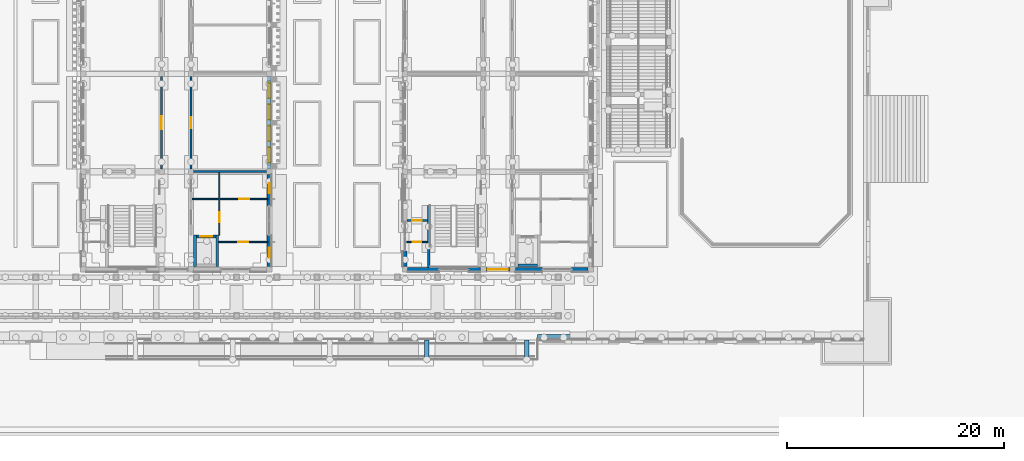
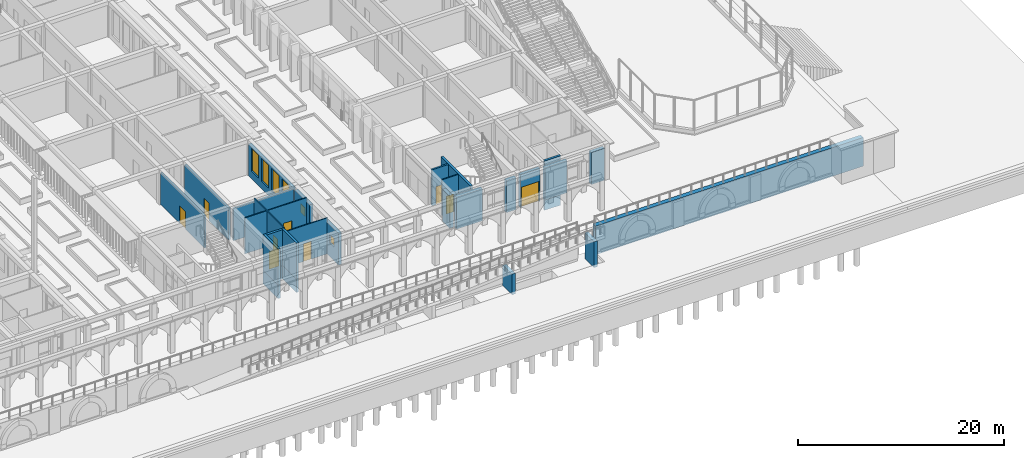
# One storey, part 68 of 161: 29 walls, 9 doors, 6 windows, 15 openings.
"""IFC4 building model written with IfcOpenShell, lengths in metres."""

import ifcopenshell
import ifcopenshell.guid

model = None  # the IFC model being written
_history = None  # IfcOwnerHistory: only IFC2X3 demands one
_inside = {}  # id of a spatial element -> (the spatial element, [elements in it])
_under = {}  # id of a project, library or spatial element -> (it, [spatial elements below it])
_declared = {}  # id of a project -> (the project, [libraries it declares])
_typed = {}  # id of a type object -> (the type object, [elements of that type])
_made_of = {}  # id of a material, layer set ... -> (it, [elements and type objects made of it])


def new_model(schema):
    """Start an empty IFC model of exactly this schema.

    Asked for "IFC4X3", IfcOpenShell would pick the latest addendum, in which some entities
    have other attributes; the version numbers below select the first issue.
    IFC2X3 requires an IfcOwnerHistory on every rooted entity: one is made here for all.
    """
    global model, _history
    if schema == "IFC4X3":
        model = ifcopenshell.file(schema_version=(4, 3, 0, 0))
    else:
        model = ifcopenshell.file(schema=schema)
    _inside.clear()
    _under.clear()
    _declared.clear()
    _typed.clear()
    _made_of.clear()
    _history = None
    if model.schema == "IFC2X3":
        org = make("IfcOrganization", Name="unknown")
        user = make(
            "IfcPersonAndOrganization",
            ThePerson=make("IfcPerson", FamilyName="unknown"),
            TheOrganization=org,
        )
        app = make(
            "IfcApplication",
            ApplicationDeveloper=org,
            Version="unknown",
            ApplicationFullName="unknown",
            ApplicationIdentifier="unknown",
        )
        _history = make(
            "IfcOwnerHistory",
            OwningUser=user,
            OwningApplication=app,
            ChangeAction="ADDED",
            CreationDate=0,
        )
    return model


def make(cls, **values):
    """One entity of the class cls with the attributes given. An attribute that is None is left unset."""
    return model.create_entity(
        cls, **{name: value for name, value in values.items() if value is not None}
    )


def rooted(cls, **values):
    """An entity with a GlobalId (a new one), such as an element, a storey or a relation."""
    return make(cls, GlobalId=ifcopenshell.guid.new(), OwnerHistory=_history, **values)


def si_unit(unit_type, name, prefix=None):
    """IfcSIUnit, for example si_unit("LENGTHUNIT", "METRE", prefix="MILLI")."""
    return make("IfcSIUnit", UnitType=unit_type, Prefix=prefix, Name=name)


def assignment(units):
    """IfcUnitAssignment: the units of a project."""
    return None if units is None else make("IfcUnitAssignment", Units=units)


def point(xyz):
    """IfcCartesianPoint."""
    return None if xyz is None else make("IfcCartesianPoint", Coordinates=xyz)


def direction(xyz):
    """IfcDirection."""
    return None if xyz is None else make("IfcDirection", DirectionRatios=xyz)


def frame(location, z_axis=None, x_axis=None):
    """IfcAxis2Placement3D, a coordinate frame: its origin and axes. An axis left out is left unset."""
    return make(
        "IfcAxis2Placement3D",
        Location=point(location),
        Axis=direction(z_axis),
        RefDirection=direction(x_axis),
    )


def frame_2d(location, x_axis=None):
    """IfcAxis2Placement2D, a coordinate frame in the plane: its origin and x axis."""
    return make(
        "IfcAxis2Placement2D", Location=point(location), RefDirection=direction(x_axis)
    )


def origin():
    """The frame at (0, 0, 0) with its axes left unset."""
    return frame((0.0, 0.0, 0.0))


def place(relative_to, where):
    """IfcLocalPlacement: puts the frame where relative to a parent placement (None: the world)."""
    return make(
        "IfcLocalPlacement", PlacementRelTo=relative_to, RelativePlacement=where
    )


def context(
    kind, dimensions, precision=None, world=None, true_north=None, identifier=None
):
    """IfcGeometricRepresentationContext, for example the 3D "Model" context."""
    return make(
        "IfcGeometricRepresentationContext",
        ContextIdentifier=identifier,
        ContextType=kind,
        CoordinateSpaceDimension=dimensions,
        Precision=precision,
        WorldCoordinateSystem=world,
        TrueNorth=true_north,
    )


def subcontext(parent, identifier, kind, view, scale=None):
    """IfcGeometricRepresentationSubContext, for example "Body" below "Model"."""
    return make(
        "IfcGeometricRepresentationSubContext",
        ContextIdentifier=identifier,
        ContextType=kind,
        ParentContext=parent,
        TargetScale=scale,
        TargetView=view,
    )


def project(units=None, contexts=None):
    """IfcProject with its units and contexts."""
    return rooted(
        "IfcProject",
        Name="project",
        RepresentationContexts=contexts,
        UnitsInContext=assignment(units),
    )


def spatial(cls, under=None, at=None, **own):
    """A site, building, storey or space (cls), placed at a placement, below another one or the project."""
    s = rooted(cls, ObjectPlacement=at, **own)
    if under is not None:
        _under.setdefault(under.id(), (under, []))[1].append(s)
    return s


def profile(cls, at=None, kind="AREA", **sizes):
    """A parametric profile (cls). Its sizes go by their IFC names, for example OverallWidth=200.0."""
    return make(cls, ProfileType=kind, Position=at, **sizes)


def rectangle(**sizes):
    """IfcRectangleProfileDef."""
    return profile("IfcRectangleProfileDef", **sizes)


def extrude(swept, where, along, depth):
    """IfcExtrudedAreaSolid: the profile swept, set in the frame where, extruded along a direction by depth."""
    return make(
        "IfcExtrudedAreaSolid",
        SweptArea=swept,
        Position=where,
        ExtrudedDirection=direction(along),
        Depth=depth,
    )


def shape(context_of_items, identifier, shape_type, items):
    """IfcShapeRepresentation: the items that make up one representation, for example the "Body"."""
    return make(
        "IfcShapeRepresentation",
        ContextOfItems=context_of_items,
        RepresentationIdentifier=identifier,
        RepresentationType=shape_type,
        Items=items,
    )


def material(Name=None, Category=None):
    """IfcMaterial."""
    return make("IfcMaterial", Name=Name, Category=Category)


def layer(
    of_material, thickness, ventilated=None, Name=None, Category=None, Priority=None
):
    """IfcMaterialLayer: one layer of a wall or slab, of a material (None: an air gap)."""
    return make(
        "IfcMaterialLayer",
        Material=of_material,
        LayerThickness=thickness,
        IsVentilated=ventilated,
        Name=Name,
        Category=Category,
        Priority=Priority,
    )


def layer_set(layers, Name=None):
    """IfcMaterialLayerSet."""
    return make("IfcMaterialLayerSet", MaterialLayers=layers, LayerSetName=Name)


def made_of(thing, what):
    """Note that an element or type object is made of a material, layer set ...; save() writes the relation."""
    if what is not None:
        _made_of.setdefault(what.id(), (what, []))[1].append(thing)
    return thing


def type_object(cls, material=None, **own):
    """A type object (cls), such as IfcWallType, which elements share."""
    return made_of(rooted(cls, **own), material)


def element(
    cls,
    number,
    at=None,
    inside=None,
    cuts=None,
    type_object=None,
    material=None,
    context=None,
    identifier="Body",
    shape_type=None,
    held_by="IfcProductDefinitionShape",
    body=None,
    shapes=None,
    **own,
):
    """One element of the class cls, such as IfcWall. Its Tag is "e" and its number.

    at: its placement. inside: the storey or other place that contains it. cuts: it is an
    opening in that element (IfcRelVoidsElement). A single representation is given by context,
    identifier, shape_type and body (its items); several are given by shapes. held_by: the class
    of the entity that holds the representations. save() writes the other relations.
    """
    e = rooted(cls, Tag="e%d" % number, ObjectPlacement=at, **own)
    if body is not None:
        shapes = [shape(context, identifier, shape_type, body)]
    if shapes is not None:
        e.Representation = make(held_by, Representations=shapes)
    if inside is not None:
        _inside.setdefault(inside.id(), (inside, []))[1].append(e)
    if cuts is not None:
        rooted(
            "IfcRelVoidsElement", RelatingBuildingElement=cuts, RelatedOpeningElement=e
        )
    if type_object is not None:
        _typed.setdefault(type_object.id(), (type_object, []))[1].append(e)
    return made_of(e, material)


def fill(opening, filler):
    """IfcRelFillsElement: the door or window that sits in an opening."""
    return rooted(
        "IfcRelFillsElement",
        RelatingOpeningElement=opening,
        RelatedBuildingElement=filler,
    )


def aggregate(whole, parts):
    """IfcRelAggregates: a whole, such as a stair, and the parts it consists of."""
    return rooted("IfcRelAggregates", RelatingObject=whole, RelatedObjects=parts)


def save(model, path):
    """Write the relations noted so far, then the file.

    IfcRelAggregates (storeys below a building ...), IfcRelContainedInSpatialStructure (elements
    in a storey), IfcRelDefinesByType, IfcRelAssociatesMaterial and IfcRelDeclares: one each for
    every whole, place, type object, material and project.
    """
    for whole, parts in _under.values():
        aggregate(whole, parts)
    for where, things in _inside.values():
        rooted(
            "IfcRelContainedInSpatialStructure",
            RelatedElements=things,
            RelatingStructure=where,
        )
    for kind, things in _typed.values():
        rooted("IfcRelDefinesByType", RelatedObjects=things, RelatingType=kind)
    for what, things in _made_of.values():
        rooted("IfcRelAssociatesMaterial", RelatedObjects=things, RelatingMaterial=what)
    for by, libraries in _declared.values():
        rooted("IfcRelDeclares", RelatingContext=by, RelatedDefinitions=libraries)
    model.write(path)


model = new_model("IFC4")

# Units and contexts
model_context = context("Model", 3, precision=1e-05, world=origin(), true_north=direction((0.0, 1.0)))
body_context = subcontext(model_context, "Body", "Model", "MODEL_VIEW")
ifc_project = project(units=[si_unit("LENGTHUNIT", "METRE"), si_unit("AREAUNIT", "SQUARE_METRE"), si_unit("VOLUMEUNIT", "CUBIC_METRE"), si_unit("PLANEANGLEUNIT", "RADIAN"), si_unit("MASSUNIT", "GRAM", prefix="KILO")], contexts=[model_context])

# Site, building, storey
site_placement = place(None, origin())
site = spatial("IfcSite", under=ifc_project, at=site_placement, CompositionType="ELEMENT")
building_placement = place(site_placement, origin())
building = spatial("IfcBuilding", under=site, at=building_placement, Name="Elbe Cascade School", CompositionType="ELEMENT")
storey_placement = place(building_placement, origin())
storey = spatial("IfcBuildingStorey", under=building, at=storey_placement, Name="L00", CompositionType="ELEMENT", Elevation=0.0)

# Wall, opening, door
ifc_material_1 = material(Name="Masonry - lime-sand block, plastered", Category="masonry")
ifc_layer_1 = layer(ifc_material_1, 0.199951171875)
ifc_layer_set_1 = layer_set([ifc_layer_1], Name="Masonry - lime-sand block, plastered")
wall_type_1 = type_object("IfcWallType", Name="Bar corridor wall lime-sand block 200 EI 30", PredefinedType="PARTITIONING", material=ifc_layer_set_1)
wall_1_placement = place(storey_placement, frame((135.39990234375, 15.25, 0.0), z_axis=(0.0, 0.0, 1.0), x_axis=(0.0, 1.0, 0.0)))
wall_1 = element("IfcWall", 1, at=wall_1_placement, inside=storey, type_object=wall_type_1, Name="Bar corridor wall lime-sand block 200 EI 30", PredefinedType="PARTITIONING", context=body_context, shape_type="SweptSolid", body=[
    extrude(rectangle(XDim=8.5, YDim=0.199951171875, at=frame_2d((4.25, 0.0))), origin(), (0.0, 0.0, 1.0), 3.800048828125),
])
opening_1_placement = place(wall_1_placement, frame((3.64990234375, 0.0, 0.0)))
opening_1 = element("IfcOpeningElement", 2, at=opening_1_placement, cuts=wall_1, Name="Opening D0.077", PredefinedType="OPENING", context=body_context, shape_type="SweptSolid", body=[
    extrude(rectangle(XDim=1.199951171875, YDim=2.10009765625, at=frame_2d((0.60009765625, 1.050048828125))), frame((0.0, 0.10986328125, 0.0), z_axis=(0.0, -1.0, 0.0), x_axis=(1.0, 0.0, 0.0)), (0.0, 0.0, 1.0), 0.219970703125),
])
ifc_material_2 = material(Name="Timber door leaf, fire-resisting, steel frame", Category="steel")
door_type_1 = type_object("IfcDoorType", Name="Bar door FD30 1200x2100", OperationType="NOTDEFINED", PredefinedType="DOOR", material=ifc_material_2)
door_1_placement = place(opening_1_placement, origin())
door_1 = element("IfcDoor", 3, at=door_1_placement, inside=storey, type_object=door_type_1, Name="Door C0.19a", OperationType="SINGLE_SWING_RIGHT", OverallHeight=2.10009765625, OverallWidth=1.199951171875, PredefinedType="DOOR", context=body_context, shape_type="SweptSolid", body=[
    extrude(rectangle(XDim=1.199951171875, YDim=2.10009765625, at=frame_2d((0.60009765625, 1.050048828125))), frame((0.0, 0.02490234375, 0.0), z_axis=(0.0, -1.0, 0.0), x_axis=(1.0, 0.0, 0.0)), (0.0, 0.0, 1.0), 0.050048828125),
])
fill(opening_1, door_1)

wall_2_placement = place(storey_placement, frame((138.10009765625, 23.75, 0.0), z_axis=(0.0, 0.0, 1.0), x_axis=(0.0, -1.0, 0.0)))
wall_2 = element("IfcWall", 4, at=wall_2_placement, inside=storey, type_object=wall_type_1, Name="Bar corridor wall lime-sand block 200 EI 30", PredefinedType="PARTITIONING", context=body_context, shape_type="SweptSolid", body=[
    extrude(rectangle(XDim=8.5, YDim=0.199951171875, at=frame_2d((4.25, 0.0))), origin(), (0.0, 0.0, 1.0), 3.800048828125),
])
opening_2_placement = place(wall_2_placement, frame((3.75, 0.0, 0.0)))
opening_2 = element("IfcOpeningElement", 5, at=opening_2_placement, cuts=wall_2, Name="Opening D0.078", PredefinedType="OPENING", context=body_context, shape_type="SweptSolid", body=[
    extrude(rectangle(XDim=1.0, YDim=2.10009765625, at=frame_2d((0.5, 1.050048828125))), frame((0.0, 0.10986328125, 0.0), z_axis=(0.0, -1.0, 0.0), x_axis=(1.0, 0.0, 0.0)), (0.0, 0.0, 1.0), 0.219970703125),
])
ifc_material_3 = material(Name="Timber door leaf, fire-resisting, steel frame", Category="steel")
door_type_2 = type_object("IfcDoorType", Name="Bar door FD30 1000x2100", OperationType="NOTDEFINED", PredefinedType="DOOR", material=ifc_material_3)
door_2_placement = place(opening_2_placement, origin())
door_2 = element("IfcDoor", 6, at=door_2_placement, inside=storey, type_object=door_type_2, Name="Door C0.23", OperationType="SINGLE_SWING_RIGHT", OverallHeight=2.10009765625, OverallWidth=1.0, PredefinedType="DOOR", context=body_context, shape_type="SweptSolid", body=[
    extrude(rectangle(XDim=1.0, YDim=2.10009765625, at=frame_2d((0.5, 1.050048828125))), frame((0.0, 0.02490234375, 0.0), z_axis=(0.0, -1.0, 0.0), x_axis=(1.0, 0.0, 0.0)), (0.0, 0.0, 1.0), 0.050048828125),
])
fill(opening_2, door_2)

ifc_material_4 = material(Name="Masonry - lime-sand block, plastered", Category="masonry")
ifc_layer_2 = layer(ifc_material_4, 0.114990234375)
ifc_layer_set_2 = layer_set([ifc_layer_2], Name="Masonry - lime-sand block, plastered")
wall_type_2 = type_object("IfcWallType", Name="Bar light partition wall lime-sand block 115", PredefinedType="PARTITIONING", material=ifc_layer_set_2)
wall_3_placement = place(storey_placement, frame((140.70751953125, 14.89990234375, 0.0), z_axis=(0.0, 0.0, 1.0), x_axis=(0.0, -1.0, 0.0)))
wall_3 = element("IfcWall", 7, at=wall_3_placement, inside=storey, type_object=wall_type_2, Name="Bar light partition wall lime-sand block 115", PredefinedType="PARTITIONING", context=body_context, shape_type="SweptSolid", body=[
    extrude(rectangle(XDim=5.75, YDim=0.114990234375, at=frame_2d((2.875, 0.0))), origin(), (0.0, 0.0, 1.0), 4.25),
])
opening_3_placement = place(wall_3_placement, frame((3.64990234375, 0.0, 0.0)))
opening_3 = element("IfcOpeningElement", 8, at=opening_3_placement, cuts=wall_3, Name="Opening D0.072", PredefinedType="OPENING", context=body_context, shape_type="SweptSolid", body=[
    extrude(rectangle(XDim=0.89990234375, YDim=2.10009765625, at=frame_2d((0.449951171875, 1.050048828125))), frame((0.0, 0.0673828125, 0.0), z_axis=(0.0, -1.0, 0.0), x_axis=(1.0, 0.0, 0.0)), (0.0, 0.0, 1.0), 0.135009765625),
])
ifc_material_5 = material(Name="Timber door leaf, steel frame", Category="steel")
door_type_3 = type_object("IfcDoorType", Name="Bar door 900x2100", OperationType="NOTDEFINED", PredefinedType="DOOR", material=ifc_material_5)
door_3_placement = place(opening_3_placement, origin())
door_3 = element("IfcDoor", 9, at=door_3_placement, inside=storey, type_object=door_type_3, Name="Door C0.07", OperationType="SINGLE_SWING_LEFT", OverallHeight=2.10009765625, OverallWidth=0.89990234375, PredefinedType="DOOR", context=body_context, shape_type="SweptSolid", body=[
    extrude(rectangle(XDim=0.89990234375, YDim=2.10009765625, at=frame_2d((0.449951171875, 1.050048828125))), frame((0.0, 0.02490234375, 0.0), z_axis=(0.0, -1.0, 0.0), x_axis=(1.0, 0.0, 0.0)), (0.0, 0.0, 1.0), 0.050048828125),
])
fill(opening_3, door_3)

wall_4_placement = place(storey_placement, frame((145.14990234375, 8.52001953125, 0.0), z_axis=(0.0, 0.0, 1.0), x_axis=(-1.0, 0.0, 0.0)))
wall_4 = element("IfcWall", 10, at=wall_4_placement, inside=storey, type_object=wall_type_2, Name="Bar light partition wall lime-sand block 115", PredefinedType="PARTITIONING", context=body_context, shape_type="SweptSolid", body=[
    extrude(rectangle(XDim=4.5, YDim=0.114990234375, at=frame_2d((2.25, 0.0))), origin(), (0.0, 0.0, 1.0), 4.25),
])
opening_4_placement = place(wall_4_placement, frame((1.800048828125, 0.0, 0.0)))
opening_4 = element("IfcOpeningElement", 11, at=opening_4_placement, cuts=wall_4, Name="Opening D0.068", PredefinedType="OPENING", context=body_context, shape_type="SweptSolid", body=[
    extrude(rectangle(XDim=0.89990234375, YDim=2.10009765625, at=frame_2d((0.449951171875, 1.050048828125))), frame((0.0, 0.0673828125, 0.0), z_axis=(0.0, -1.0, 0.0), x_axis=(1.0, 0.0, 0.0)), (0.0, 0.0, 1.0), 0.135009765625),
])
door_4_placement = place(opening_4_placement, origin())
door_4 = element("IfcDoor", 12, at=door_4_placement, inside=storey, type_object=door_type_3, Name="Door C0.08", OperationType="SINGLE_SWING_LEFT", OverallHeight=2.10009765625, OverallWidth=0.89990234375, PredefinedType="DOOR", context=body_context, shape_type="SweptSolid", body=[
    extrude(rectangle(XDim=0.89990234375, YDim=2.10009765625, at=frame_2d((0.449951171875, 1.050048828125))), frame((0.0, 0.02490234375, 0.0), z_axis=(0.0, -1.0, 0.0), x_axis=(1.0, 0.0, 0.0)), (0.0, 0.0, 1.0), 0.050048828125),
])
fill(opening_4, door_4)

wall_5_placement = place(storey_placement, frame((138.199951171875, 12.47998046875, 0.0), z_axis=(0.0, 0.0, 1.0), x_axis=(1.0, 0.0, 0.0)))
wall_5 = element("IfcWall", 13, at=wall_5_placement, inside=storey, type_object=wall_type_2, Name="Bar light partition wall lime-sand block 115", PredefinedType="PARTITIONING", context=body_context, shape_type="SweptSolid", body=[
    extrude(rectangle(XDim=6.949951171875, YDim=0.114990234375, at=frame_2d((3.47509765625, 0.0))), origin(), (0.0, 0.0, 1.0), 4.25),
])
opening_5_placement = place(wall_5_placement, frame((4.35009765625, 0.0, 0.0)))
opening_5 = element("IfcOpeningElement", 14, at=opening_5_placement, cuts=wall_5, Name="Opening D0.073", PredefinedType="OPENING", context=body_context, shape_type="SweptSolid", body=[
    extrude(rectangle(XDim=0.89990234375, YDim=2.10009765625, at=frame_2d((0.449951171875, 1.050048828125))), frame((0.0, 0.0673828125, 0.0), z_axis=(0.0, -1.0, 0.0), x_axis=(1.0, 0.0, 0.0)), (0.0, 0.0, 1.0), 0.135009765625),
])
door_5_placement = place(opening_5_placement, origin())
door_5 = element("IfcDoor", 15, at=door_5_placement, inside=storey, type_object=door_type_3, Name="Door C0.09", OperationType="SINGLE_SWING_RIGHT", OverallHeight=2.10009765625, OverallWidth=0.89990234375, PredefinedType="DOOR", context=body_context, shape_type="SweptSolid", body=[
    extrude(rectangle(XDim=0.89990234375, YDim=2.10009765625, at=frame_2d((0.449951171875, 1.050048828125))), frame((0.0, 0.02490234375, 0.0), z_axis=(0.0, -1.0, 0.0), x_axis=(1.0, 0.0, 0.0)), (0.0, 0.0, 1.0), 0.050048828125),
])
fill(opening_5, door_5)

wall_6_placement = place(storey_placement, frame((159.85009765625, 8.52001953125, 0.0), z_axis=(0.0, 0.0, 1.0), x_axis=(-1.0, 0.0, 0.0)))
wall_6 = element("IfcWall", 16, at=wall_6_placement, inside=storey, type_object=wall_type_2, Name="Bar light partition wall lime-sand block 115", PredefinedType="PARTITIONING", context=body_context, shape_type="SweptSolid", body=[
    extrude(rectangle(XDim=1.8701171875, YDim=0.114990234375, at=frame_2d((0.93505859375, 0.0))), origin(), (0.0, 0.0, 1.0), 4.25),
])
opening_6_placement = place(wall_6_placement, frame((0.550048828125, 0.0, 0.0)))
opening_6 = element("IfcOpeningElement", 17, at=opening_6_placement, cuts=wall_6, Name="Opening D0.098", PredefinedType="OPENING", context=body_context, shape_type="SweptSolid", body=[
    extrude(rectangle(XDim=0.800048828125, YDim=2.10009765625, at=frame_2d((0.39990234375, 1.050048828125))), frame((0.0, 0.0673828125, 0.0), z_axis=(0.0, -1.0, 0.0), x_axis=(1.0, 0.0, 0.0)), (0.0, 0.0, 1.0), 0.135009765625),
])
ifc_material_6 = material(Name="Timber door leaf, steel frame", Category="steel")
door_type_4 = type_object("IfcDoorType", Name="Bar door 800x2100", OperationType="NOTDEFINED", PredefinedType="DOOR", material=ifc_material_6)
door_6_placement = place(opening_6_placement, origin())
door_6 = element("IfcDoor", 18, at=door_6_placement, inside=storey, type_object=door_type_4, Name="Door D0.05", OperationType="SINGLE_SWING_LEFT", OverallHeight=2.10009765625, OverallWidth=0.800048828125, PredefinedType="DOOR", context=body_context, shape_type="SweptSolid", body=[
    extrude(rectangle(XDim=0.800048828125, YDim=2.10009765625, at=frame_2d((0.39990234375, 1.050048828125))), frame((0.0, 0.02490234375, 0.0), z_axis=(0.0, -1.0, 0.0), x_axis=(1.0, 0.0, 0.0)), (0.0, 0.0, 1.0), 0.050048828125),
])
fill(opening_6, door_6)

# Walls
ifc_material_7 = material(Name="Masonry - lime-sand block, plastered", Category="masonry")
ifc_layer_3 = layer(ifc_material_7, 0.199951171875)
ifc_layer_set_3 = layer_set([ifc_layer_3], Name="Masonry - lime-sand block, plastered")
wall_type_3 = type_object("IfcWallType", Name="Bar partition wall lime-sand block 200", PredefinedType="PARTITIONING", material=ifc_layer_set_3)
wall_7_placement = place(storey_placement, frame((138.35009765625, 15.0, 0.0), z_axis=(0.0, 0.0, 1.0), x_axis=(1.0, 0.0, 0.0)))
element("IfcWall", 19, at=wall_7_placement, inside=storey, type_object=wall_type_3, Name="Bar partition wall lime-sand block 200", PredefinedType="PARTITIONING", context=body_context, shape_type="SweptSolid", body=[
    extrude(rectangle(XDim=6.699951171875, YDim=0.199951171875, at=frame_2d((3.35009765625, 0.0))), origin(), (0.0, 0.0, 1.0), 3.800048828125),
])
ifc_material_8 = material(Name="Concrete C30/37", Category="concrete")
ifc_layer_4 = layer(ifc_material_8, 0.25)
ifc_layer_set_4 = layer_set([ifc_layer_4], Name="Concrete C30/37")
wall_type_4 = type_object("IfcWallType", Name="Bar stair core wall RC 250", PredefinedType="SOLIDWALL", material=ifc_layer_set_4)
wall_8_placement = place(storey_placement, frame((159.97509765625, 6.179931640625, 0.0), z_axis=(0.0, 0.0, 1.0), x_axis=(0.0, 1.0, 0.0)))
element("IfcWall", 20, at=wall_8_placement, inside=storey, type_object=wall_type_4, Name="Bar stair core wall RC 250", PredefinedType="SOLIDWALL", context=body_context, shape_type="SweptSolid", body=[
    extrude(rectangle(XDim=5.719970703125, YDim=0.25, at=frame_2d((2.85986328125, 0.0))), origin(), (0.0, 0.0, 1.0), 4.25),
])

# Wall, opening, door
ifc_material_9 = material(Name="Concrete C30/37", Category="concrete")
ifc_layer_5 = layer(ifc_material_9, 0.199951171875)
ifc_layer_set_5 = layer_set([ifc_layer_5], Name="Concrete C30/37")
wall_type_5 = type_object("IfcWallType", Name="Bar stair lobby wall RC 200", PredefinedType="SOLIDWALL", material=ifc_layer_set_5)
wall_9_placement = place(storey_placement, frame((159.85009765625, 10.5, 0.0), z_axis=(0.0, 0.0, 1.0), x_axis=(-1.0, 0.0, 0.0)))
wall_9 = element("IfcWall", 21, at=wall_9_placement, inside=storey, type_object=wall_type_5, Name="Bar stair lobby wall RC 200", PredefinedType="SOLIDWALL", context=body_context, shape_type="SweptSolid", body=[
    extrude(rectangle(XDim=1.8701171875, YDim=0.199951171875, at=frame_2d((0.93505859375, 0.0))), origin(), (0.0, 0.0, 1.0), 4.25),
])
opening_7_placement = place(wall_9_placement, frame((0.5, 0.0, 0.0)))
opening_7 = element("IfcOpeningElement", 22, at=opening_7_placement, cuts=wall_9, Name="Opening D0.101", PredefinedType="OPENING", context=body_context, shape_type="SweptSolid", body=[
    extrude(rectangle(XDim=0.89990234375, YDim=2.10009765625, at=frame_2d((0.449951171875, 1.050048828125))), frame((0.0, 0.10986328125, 0.0), z_axis=(0.0, -1.0, 0.0), x_axis=(1.0, 0.0, 0.0)), (0.0, 0.0, 1.0), 0.219970703125),
])
ifc_material_10 = material(Name="Timber door leaf, fire-resisting and smoke-tight, steel frame", Category="steel")
door_type_5 = type_object("IfcDoorType", Name="Bar door FD30S 900x2100", OperationType="NOTDEFINED", PredefinedType="DOOR", material=ifc_material_10)
door_7_placement = place(opening_7_placement, origin())
door_7 = element("IfcDoor", 23, at=door_7_placement, inside=storey, type_object=door_type_5, Name="Door D0.04", OperationType="SINGLE_SWING_RIGHT", OverallHeight=2.10009765625, OverallWidth=0.89990234375, PredefinedType="DOOR", context=body_context, shape_type="SweptSolid", body=[
    extrude(rectangle(XDim=0.89990234375, YDim=2.10009765625, at=frame_2d((0.449951171875, 1.050048828125))), frame((0.0, 0.02490234375, 0.0), z_axis=(0.0, -1.0, 0.0), x_axis=(1.0, 0.0, 0.0)), (0.0, 0.0, 1.0), 0.050048828125),
])
fill(opening_7, door_7)

# Wall, opening, window
ifc_material_11 = material(Name="Brick masonry - red clinker, cavity wall with render backing", Category="masonry")
ifc_layer_6 = layer(ifc_material_11, 0.360107421875)
ifc_layer_set_6 = layer_set([ifc_layer_6], Name="Brick masonry - red clinker, cavity wall with render backing")
wall_type_6 = type_object("IfcWallType", Name="Bars envelope External wall - clinker brick cavity, 360 ground floor", PredefinedType="STANDARD", material=ifc_layer_set_6)
wall_10_placement = place(storey_placement, frame((145.300048828125, 9.14990234375, 0.0), z_axis=(0.0, 0.0, 1.0), x_axis=(0.0, -1.0, 0.0)))
wall_10 = element("IfcWall", 24, at=wall_10_placement, inside=storey, type_object=wall_type_6, Name="External wall W29 C.L00.e1a", PredefinedType="STANDARD", context=body_context, shape_type="SweptSolid", body=[
    extrude(rectangle(XDim=2.89990234375, YDim=0.360107421875, at=frame_2d((1.449951171875, 0.0))), origin(), (0.0, 0.0, 1.0), 3.75),
])
opening_8_placement = place(wall_10_placement, frame((1.169921875, 0.0, 1.60009765625)))
opening_8 = element("IfcOpeningElement", 25, at=opening_8_placement, cuts=wall_10, Name="Opening W0.053", PredefinedType="OPENING", context=body_context, shape_type="SweptSolid", body=[
    extrude(rectangle(XDim=0.89990234375, YDim=1.0, at=frame_2d((0.449951171875, 0.5))), frame((0.0, 0.18994140625, 0.0), z_axis=(0.0, -1.0, 0.0), x_axis=(1.0, 0.0, 0.0)), (0.0, 0.0, 1.0), 0.380126953125),
])
ifc_material_12 = material(Name="Aluminium frame with double glazing, bronze anodised", Category="aluminium")
window_type_1 = type_object("IfcWindowType", Name="Bars envelope Window 900 x 1000, WC and service room, high level, aluminium double glazed", PartitioningType="SINGLE_PANEL", PredefinedType="WINDOW", material=ifc_material_12)
window_1_placement = place(opening_8_placement, origin())
window_1 = element("IfcWindow", 26, at=window_1_placement, inside=storey, type_object=window_type_1, Name="Window WN4 C.L00.e1a.1", OverallHeight=1.0, OverallWidth=0.89990234375, PartitioningType="SINGLE_PANEL", PredefinedType="WINDOW", context=body_context, shape_type="SweptSolid", body=[
    extrude(rectangle(XDim=0.89990234375, YDim=1.0, at=frame_2d((0.449951171875, 0.5))), frame((0.0, 0.030029296875, 0.0), z_axis=(0.0, -1.0, 0.0), x_axis=(1.0, 0.0, 0.0)), (0.0, 0.0, 1.0), 0.06005859375),
])
fill(opening_8, window_1)

wall_11_placement = place(storey_placement, frame((145.300048828125, 14.75, 0.0), z_axis=(0.0, 0.0, 1.0), x_axis=(0.0, -1.0, 0.0)))
wall_11 = element("IfcWall", 27, at=wall_11_placement, inside=storey, type_object=wall_type_6, Name="External wall W29 C.L00.e1b", PredefinedType="STANDARD", context=body_context, shape_type="SweptSolid", body=[
    extrude(rectangle(XDim=2.89990234375, YDim=0.360107421875, at=frame_2d((1.449951171875, 0.0))), origin(), (0.0, 0.0, 1.0), 3.75),
])
opening_9_placement = place(wall_11_placement, frame((0.830078125, 0.0, 1.60009765625)))
opening_9 = element("IfcOpeningElement", 28, at=opening_9_placement, cuts=wall_11, Name="Opening W0.054", PredefinedType="OPENING", context=body_context, shape_type="SweptSolid", body=[
    extrude(rectangle(XDim=0.89990234375, YDim=1.0, at=frame_2d((0.449951171875, 0.5))), frame((0.0, 0.18994140625, 0.0), z_axis=(0.0, -1.0, 0.0), x_axis=(1.0, 0.0, 0.0)), (0.0, 0.0, 1.0), 0.380126953125),
])
window_2_placement = place(opening_9_placement, origin())
window_2 = element("IfcWindow", 29, at=window_2_placement, inside=storey, type_object=window_type_1, Name="Window WN4 C.L00.e1b.1", OverallHeight=1.0, OverallWidth=0.89990234375, PartitioningType="SINGLE_PANEL", PredefinedType="WINDOW", context=body_context, shape_type="SweptSolid", body=[
    extrude(rectangle(XDim=0.89990234375, YDim=1.0, at=frame_2d((0.449951171875, 0.5))), frame((0.0, 0.030029296875, 0.0), z_axis=(0.0, -1.0, 0.0), x_axis=(1.0, 0.0, 0.0)), (0.0, 0.0, 1.0), 0.06005859375),
])
fill(opening_9, window_2)

# Wall, openings, windows
wall_12_placement = place(storey_placement, frame((145.300048828125, 23.75, 0.0), z_axis=(0.0, 0.0, 1.0), x_axis=(0.0, -1.0, 0.0)))
wall_12 = element("IfcWall", 30, at=wall_12_placement, inside=storey, type_object=wall_type_6, Name="External wall W29 C.L00.e2", PredefinedType="STANDARD", context=body_context, shape_type="SweptSolid", body=[
    extrude(rectangle(XDim=8.5, YDim=0.360107421875, at=frame_2d((4.25, 0.0))), origin(), (0.0, 0.0, 1.0), 3.75),
])
opening_10_placement = place(wall_12_placement, frame((6.52001953125, 0.0, 0.89990234375)))
opening_10 = element("IfcOpeningElement", 31, at=opening_10_placement, cuts=wall_12, Name="Opening W0.056", PredefinedType="OPENING", context=body_context, shape_type="SweptSolid", body=[
    extrude(rectangle(XDim=1.39990234375, YDim=2.699951171875, at=frame_2d((0.699951171875, 1.35009765625))), frame((0.0, 0.18994140625, 0.0), z_axis=(0.0, -1.0, 0.0), x_axis=(1.0, 0.0, 0.0)), (0.0, 0.0, 1.0), 0.380126953125),
])
opening_11_placement = place(wall_12_placement, frame((4.5400390625, 0.0, 0.89990234375)))
opening_11 = element("IfcOpeningElement", 32, at=opening_11_placement, cuts=wall_12, Name="Opening W0.058", PredefinedType="OPENING", context=body_context, shape_type="SweptSolid", body=[
    extrude(rectangle(XDim=1.39990234375, YDim=2.699951171875, at=frame_2d((0.699951171875, 1.35009765625))), frame((0.0, 0.18994140625, 0.0), z_axis=(0.0, -1.0, 0.0), x_axis=(1.0, 0.0, 0.0)), (0.0, 0.0, 1.0), 0.380126953125),
])
opening_12_placement = place(wall_12_placement, frame((2.56005859375, 0.0, 0.89990234375)))
opening_12 = element("IfcOpeningElement", 33, at=opening_12_placement, cuts=wall_12, Name="Opening W0.060", PredefinedType="OPENING", context=body_context, shape_type="SweptSolid", body=[
    extrude(rectangle(XDim=1.39990234375, YDim=2.699951171875, at=frame_2d((0.699951171875, 1.35009765625))), frame((0.0, 0.18994140625, 0.0), z_axis=(0.0, -1.0, 0.0), x_axis=(1.0, 0.0, 0.0)), (0.0, 0.0, 1.0), 0.380126953125),
])
opening_13_placement = place(wall_12_placement, frame((0.580078125, 0.0, 0.89990234375)))
opening_13 = element("IfcOpeningElement", 34, at=opening_13_placement, cuts=wall_12, Name="Opening W0.062", PredefinedType="OPENING", context=body_context, shape_type="SweptSolid", body=[
    extrude(rectangle(XDim=1.39990234375, YDim=2.699951171875, at=frame_2d((0.699951171875, 1.35009765625))), frame((0.0, 0.18994140625, 0.0), z_axis=(0.0, -1.0, 0.0), x_axis=(1.0, 0.0, 0.0)), (0.0, 0.0, 1.0), 0.380126953125),
])
ifc_material_13 = material(Name="Aluminium frame with double glazing, bronze anodised", Category="aluminium")
window_type_2 = type_object("IfcWindowType", Name="Bars envelope Window 1400 x 2700, laboratory and office, bench height sill, aluminium double glazed", PartitioningType="DOUBLE_PANEL_VERTICAL", PredefinedType="WINDOW", material=ifc_material_13)
window_3_placement = place(opening_10_placement, origin())
window_3 = element("IfcWindow", 35, at=window_3_placement, inside=storey, type_object=window_type_2, Name="Window WN14 C.L00.e2.1", OverallHeight=2.699951171875, OverallWidth=1.39990234375, PartitioningType="DOUBLE_PANEL_VERTICAL", PredefinedType="WINDOW", context=body_context, shape_type="SweptSolid", body=[
    extrude(rectangle(XDim=1.39990234375, YDim=2.699951171875, at=frame_2d((0.699951171875, 1.35009765625))), frame((0.0, 0.030029296875, 0.0), z_axis=(0.0, -1.0, 0.0), x_axis=(1.0, 0.0, 0.0)), (0.0, 0.0, 1.0), 0.06005859375),
])
fill(opening_10, window_3)
window_4_placement = place(opening_11_placement, origin())
window_4 = element("IfcWindow", 36, at=window_4_placement, inside=storey, type_object=window_type_2, Name="Window WN14 C.L00.e2.2", OverallHeight=2.699951171875, OverallWidth=1.39990234375, PartitioningType="DOUBLE_PANEL_VERTICAL", PredefinedType="WINDOW", context=body_context, shape_type="SweptSolid", body=[
    extrude(rectangle(XDim=1.39990234375, YDim=2.699951171875, at=frame_2d((0.699951171875, 1.35009765625))), frame((0.0, 0.030029296875, 0.0), z_axis=(0.0, -1.0, 0.0), x_axis=(1.0, 0.0, 0.0)), (0.0, 0.0, 1.0), 0.06005859375),
])
fill(opening_11, window_4)
window_5_placement = place(opening_12_placement, origin())
window_5 = element("IfcWindow", 37, at=window_5_placement, inside=storey, type_object=window_type_2, Name="Window WN14 C.L00.e2.3", OverallHeight=2.699951171875, OverallWidth=1.39990234375, PartitioningType="DOUBLE_PANEL_VERTICAL", PredefinedType="WINDOW", context=body_context, shape_type="SweptSolid", body=[
    extrude(rectangle(XDim=1.39990234375, YDim=2.699951171875, at=frame_2d((0.699951171875, 1.35009765625))), frame((0.0, 0.030029296875, 0.0), z_axis=(0.0, -1.0, 0.0), x_axis=(1.0, 0.0, 0.0)), (0.0, 0.0, 1.0), 0.06005859375),
])
fill(opening_12, window_5)
window_6_placement = place(opening_13_placement, origin())
window_6 = element("IfcWindow", 38, at=window_6_placement, inside=storey, type_object=window_type_2, Name="Window WN14 C.L00.e2.4", OverallHeight=2.699951171875, OverallWidth=1.39990234375, PartitioningType="DOUBLE_PANEL_VERTICAL", PredefinedType="WINDOW", context=body_context, shape_type="SweptSolid", body=[
    extrude(rectangle(XDim=1.39990234375, YDim=2.699951171875, at=frame_2d((0.699951171875, 1.35009765625))), frame((0.0, 0.030029296875, 0.0), z_axis=(0.0, -1.0, 0.0), x_axis=(1.0, 0.0, 0.0)), (0.0, 0.0, 1.0), 0.06005859375),
])
fill(opening_13, window_6)

# Wall, opening, door
wall_13_placement = place(storey_placement, frame((167.449951171875, 6.0, 0.0), z_axis=(0.0, 0.0, 1.0), x_axis=(-1.0, 0.0, 0.0)))
wall_13 = element("IfcWall", 39, at=wall_13_placement, inside=storey, type_object=wall_type_6, Name="External wall W29 D.L00.s2", PredefinedType="STANDARD", context=body_context, shape_type="SweptSolid", body=[
    extrude(rectangle(XDim=2.199951171875, YDim=0.360107421875, at=frame_2d((1.10009765625, 0.0))), origin(), (0.0, 0.0, 1.0), 3.89990234375),
])
opening_14_placement = place(wall_13_placement, frame((0.10009765625, 0.0, 0.0)))
opening_14 = element("IfcOpeningElement", 40, at=opening_14_placement, cuts=wall_13, Name="Opening D0.097", PredefinedType="OPENING", context=body_context, shape_type="SweptSolid", body=[
    extrude(rectangle(XDim=2.0, YDim=2.39990234375, at=frame_2d((1.0, 1.199951171875))), frame((0.0, 0.18994140625, 0.0), z_axis=(0.0, -1.0, 0.0), x_axis=(1.0, 0.0, 0.0)), (0.0, 0.0, 1.0), 0.380126953125),
])
ifc_material_14 = material(Name="Aluminium and glass fire-resisting door set", Category="aluminium")
door_type_6 = type_object("IfcDoorType", Name="Bars envelope Main entrance door, double leaf, glazed, 2000 x 2400, fire resisting", OperationType="DOUBLE_DOOR_SINGLE_SWING", PredefinedType="DOOR", material=ifc_material_14)
door_8_placement = place(opening_14_placement, origin())
door_8 = element("IfcDoor", 41, at=door_8_placement, inside=storey, type_object=door_type_6, Name="Main entrance door D15 D.L00.s2", OperationType="DOUBLE_DOOR_SINGLE_SWING", OverallHeight=2.39990234375, OverallWidth=2.0, PredefinedType="DOOR", context=body_context, shape_type="SweptSolid", body=[
    extrude(rectangle(XDim=2.0, YDim=2.39990234375, at=frame_2d((1.0, 1.199951171875))), frame((0.0, 0.02490234375, 0.0), z_axis=(0.0, -1.0, 0.0), x_axis=(1.0, 0.0, 0.0)), (0.0, 0.0, 1.0), 0.050048828125),
])
fill(opening_14, door_8)

# Walls
ifc_material_15 = material(Name="Brick masonry - red clinker, solid, sandstone-faced", Category="masonry")
ifc_layer_7 = layer(ifc_material_15, 0.39990234375)
ifc_layer_set_7 = layer_set([ifc_layer_7], Name="Brick masonry - red clinker, solid, sandstone-faced")
wall_type_7 = type_object("IfcWallType", Name="Bars envelope External wall - solid masonry core strip, sandstone faced, 400", PredefinedType="STANDARD", material=ifc_layer_set_7)
wall_14_placement = place(storey_placement, frame((157.780029296875, 6.25, 0.0), z_axis=(0.0, 0.0, 1.0), x_axis=(0.0, 1.0, 0.0)))
element("IfcWall", 42, at=wall_14_placement, inside=storey, type_object=wall_type_7, Name="External wall W31 D.L00.w1a", PredefinedType="STANDARD", context=body_context, shape_type="SweptSolid", body=[
    extrude(rectangle(XDim=1.43994140625, YDim=0.39990234375, at=frame_2d((0.719970703125, 0.0))), origin(), (0.0, 0.0, 1.0), 3.75),
])
wall_15_placement = place(storey_placement, frame((160.949951171875, 5.97998046875, 0.0), z_axis=(0.0, 0.0, 1.0), x_axis=(-1.0, 0.0, 0.0)))
element("IfcWall", 43, at=wall_15_placement, inside=storey, type_object=wall_type_7, Name="External wall W31 D.L00.s1a", PredefinedType="STANDARD", context=body_context, shape_type="SweptSolid", body=[
    extrude(rectangle(XDim=2.89990234375, YDim=0.39990234375, at=frame_2d((1.449951171875, 0.0))), origin(), (0.0, 0.0, 1.0), 3.800048828125),
])
wall_16_placement = place(storey_placement, frame((164.75, 5.97998046875, 0.0), z_axis=(0.0, 0.0, 1.0), x_axis=(-1.0, 0.0, 0.0)))
element("IfcWall", 44, at=wall_16_placement, inside=storey, type_object=wall_type_7, Name="External wall W31 D.L00.s1b", PredefinedType="STANDARD", context=body_context, shape_type="SweptSolid", body=[
    extrude(rectangle(XDim=1.10009765625, YDim=0.39990234375, at=frame_2d((0.550048828125, 0.0))), origin(), (0.0, 0.0, 1.0), 3.800048828125),
])
wall_17_placement = place(storey_placement, frame((170.449951171875, 5.97998046875, 0.0), z_axis=(0.0, 0.0, 1.0), x_axis=(-1.0, 0.0, 0.0)))
element("IfcWall", 45, at=wall_17_placement, inside=storey, type_object=wall_type_7, Name="External wall W31 D.L00.s3a", PredefinedType="STANDARD", context=body_context, shape_type="SweptSolid", body=[
    extrude(rectangle(XDim=2.5, YDim=0.39990234375, at=frame_2d((1.25, 0.0))), origin(), (0.0, 0.0, 1.0), 3.800048828125),
])
wall_18_placement = place(storey_placement, frame((174.64990234375, 5.97998046875, 0.0), z_axis=(0.0, 0.0, 1.0), x_axis=(-1.0, 0.0, 0.0)))
element("IfcWall", 46, at=wall_18_placement, inside=storey, type_object=wall_type_7, Name="External wall W31 D.L00.s3b", PredefinedType="STANDARD", context=body_context, shape_type="SweptSolid", body=[
    extrude(rectangle(XDim=1.5, YDim=0.39990234375, at=frame_2d((0.75, 0.0))), origin(), (0.0, 0.0, 1.0), 3.800048828125),
])
ifc_material_16 = material(Name="Concrete C35/45", Category="concrete")
ifc_layer_8 = layer(ifc_material_16, 0.5)
ifc_layer_set_8 = layer_set([ifc_layer_8], Name="Concrete C35/45")
wall_type_8 = type_object("IfcWallType", Name="Quay wall RC 500", PredefinedType="STANDARD", material=ifc_layer_set_8)
wall_19_placement = place(storey_placement, frame((170.0, -0.25, -3.39990234375), z_axis=(0.0, 0.0, 1.0), x_axis=(1.0, 0.0, 0.0)))
element("IfcWall", 47, at=wall_19_placement, inside=storey, type_object=wall_type_8, Name="Quay wall 3", PredefinedType="STANDARD", context=body_context, shape_type="SweptSolid", body=[
    extrude(rectangle(XDim=30.0, YDim=0.5, at=frame_2d((15.0, 0.0))), origin(), (0.0, 0.0, 1.0), 3.39990234375),
])
ifc_material_17 = material(Name="Concrete C30/37", Category="concrete")
ifc_layer_9 = layer(ifc_material_17, 0.39990234375)
ifc_layer_set_9 = layer_set([ifc_layer_9], Name="Concrete C30/37")
wall_type_9 = type_object("IfcWallType", Name="Retaining support wall RC 400", PredefinedType="SHEAR", material=ifc_layer_set_9)
wall_20_placement = place(storey_placement, frame((159.81005859375, -2.300048828125, -3.39990234375), z_axis=(0.0, 0.0, 1.0), x_axis=(0.0, 1.0, 0.0)))
element("IfcWall", 48, at=wall_20_placement, inside=storey, type_object=wall_type_9, Name="Quay ramp landing wall 4", PredefinedType="SHEAR", context=body_context, shape_type="SweptSolid", body=[
    extrude(rectangle(XDim=1.800048828125, YDim=0.39990234375, at=frame_2d((0.89990234375, 0.0))), origin(), (0.0, 0.0, 1.0), 2.429931640625),
])
wall_21_placement = place(storey_placement, frame((169.0, -2.300048828125, -3.39990234375), z_axis=(0.0, 0.0, 1.0), x_axis=(0.0, 1.0, 0.0)))
element("IfcWall", 49, at=wall_21_placement, inside=storey, type_object=wall_type_9, Name="Quay ramp landing wall 5", PredefinedType="SHEAR", context=body_context, shape_type="SweptSolid", body=[
    extrude(rectangle(XDim=1.800048828125, YDim=0.39990234375, at=frame_2d((0.89990234375, 0.0))), origin(), (0.0, 0.0, 1.0), 3.0498046875),
])
ifc_material_18 = material(Name="Concrete C30/37", Category="concrete")
ifc_layer_10 = layer(ifc_material_18, 0.25)
ifc_layer_set_10 = layer_set([ifc_layer_10], Name="Concrete C30/37")
wall_type_10 = type_object("IfcWallType", Name="Shaft wall 250", PredefinedType="SHEAR", material=ifc_layer_set_10)
for number, where, z_axis, x_axis, name in (
    (50, (138.47509765625, 6.25, 0.0), (0.0, 0.0, 1.0), (0.0, 1.0, 0.0), "Shaft wall 250 W1"),
    (51, (140.52490234375, 6.25, 0.0), (0.0, 0.0, 1.0), (0.0, 1.0, 0.0), "Shaft wall 250 W1"),
):
    element("IfcWall", number, at=place(storey_placement, frame(where, z_axis=z_axis, x_axis=x_axis)), inside=storey, type_object=wall_type_10, Name=name, PredefinedType="SHEAR", context=body_context, shape_type="SweptSolid", body=[
        extrude(rectangle(XDim=2.89990234375, YDim=0.25, at=frame_2d((1.449951171875, 0.0))), origin(), (0.0, 0.0, 1.0), 4.25),
    ])

# Wall, opening, door
wall_22_placement = place(storey_placement, frame((138.60009765625, 9.02490234375, 0.0), z_axis=(0.0, 0.0, 1.0), x_axis=(1.0, 0.0, 0.0)))
wall_22 = element("IfcWall", 52, at=wall_22_placement, inside=storey, type_object=wall_type_10, Name="Shaft wall 250 W1", PredefinedType="SHEAR", context=body_context, shape_type="SweptSolid", body=[
    extrude(rectangle(XDim=1.7998046875, YDim=0.25, at=frame_2d((0.89990234375, 0.0))), origin(), (0.0, 0.0, 1.0), 4.25),
])
opening_15_placement = place(wall_22_placement, frame((0.35009765625, 0.0, 0.0)))
opening_15 = element("IfcOpeningElement", 53, at=opening_15_placement, cuts=wall_22, Name="Opening D0.069", PredefinedType="OPENING", context=body_context, shape_type="SweptSolid", body=[
    extrude(rectangle(XDim=1.10009765625, YDim=2.10009765625, at=frame_2d((0.550048828125, 1.050048828125))), frame((0.0, 0.135009765625, 0.0), z_axis=(0.0, -1.0, 0.0), x_axis=(1.0, 0.0, 0.0)), (0.0, 0.0, 1.0), 0.27001953125),
])
ifc_material_19 = material(Name="Stainless steel sliding door leaf", Category="steel")
door_type_7 = type_object("IfcDoorType", Name="Bar lift landing door 1100x2100", OperationType="SLIDING_TO_LEFT", PredefinedType="DOOR", material=ifc_material_19)
door_9_placement = place(opening_15_placement, origin())
door_9 = element("IfcDoor", 54, at=door_9_placement, inside=storey, type_object=door_type_7, Name="Lift landing door LDC0.1", OperationType="SLIDING_TO_LEFT", OverallHeight=2.10009765625, OverallWidth=1.10009765625, PredefinedType="DOOR", context=body_context, shape_type="SweptSolid", body=[
    extrude(rectangle(XDim=1.10009765625, YDim=2.10009765625, at=frame_2d((0.550048828125, 1.050048828125))), frame((0.0, 0.02490234375, 0.0), z_axis=(0.0, -1.0, 0.0), x_axis=(1.0, 0.0, 0.0)), (0.0, 0.0, 1.0), 0.050048828125),
])
fill(opening_15, door_9)

# Walls
for number, where, z_axis, x_axis, name in (
    (55, (138.47509765625, 6.25, -1.60009765625), (0.0, 0.0, 1.0), (0.0, 1.0, 0.0), "Shaft wall 250 W1"),
    (56, (140.52490234375, 6.25, -1.60009765625), (0.0, 0.0, 1.0), (0.0, 1.0, 0.0), "Shaft wall 250 W1"),
):
    element("IfcWall", number, at=place(storey_placement, frame(where, z_axis=z_axis, x_axis=x_axis)), inside=storey, type_object=wall_type_10, Name=name, PredefinedType="SHEAR", context=body_context, shape_type="SweptSolid", body=[
        extrude(rectangle(XDim=2.89990234375, YDim=0.25, at=frame_2d((1.449951171875, 0.0))), origin(), (0.0, 0.0, 1.0), 1.60009765625),
    ])
wall_23_placement = place(storey_placement, frame((138.60009765625, 9.02490234375, -1.60009765625), z_axis=(0.0, 0.0, 1.0), x_axis=(1.0, 0.0, 0.0)))
element("IfcWall", 57, at=wall_23_placement, inside=storey, type_object=wall_type_10, Name="Shaft wall 250 W1", PredefinedType="SHEAR", context=body_context, shape_type="SweptSolid", body=[
    extrude(rectangle(XDim=1.7998046875, YDim=0.25, at=frame_2d((0.89990234375, 0.0))), origin(), (0.0, 0.0, 1.0), 1.60009765625),
])
wall_24_placement = place(storey_placement, frame((168.199951171875, 6.375, 0.0), z_axis=(0.0, 0.0, 1.0), x_axis=(1.0, 0.0, 0.0)))
element("IfcWall", 58, at=wall_24_placement, inside=storey, type_object=wall_type_10, Name="Shaft wall 250 W1", PredefinedType="SHEAR", context=body_context, shape_type="SweptSolid", body=[
    extrude(rectangle(XDim=1.800048828125, YDim=0.25, at=frame_2d((0.89990234375, 0.0))), origin(), (0.0, 0.0, 1.0), 4.25),
])
wall_25_placement = place(storey_placement, frame((168.199951171875, 6.375, -1.60009765625), z_axis=(0.0, 0.0, 1.0), x_axis=(1.0, 0.0, 0.0)))
element("IfcWall", 59, at=wall_25_placement, inside=storey, type_object=wall_type_10, Name="Shaft wall 250 W1", PredefinedType="SHEAR", context=body_context, shape_type="SweptSolid", body=[
    extrude(rectangle(XDim=1.800048828125, YDim=0.25, at=frame_2d((0.89990234375, 0.0))), origin(), (0.0, 0.0, 1.0), 1.60009765625),
])

save(model, "model.ifc")
